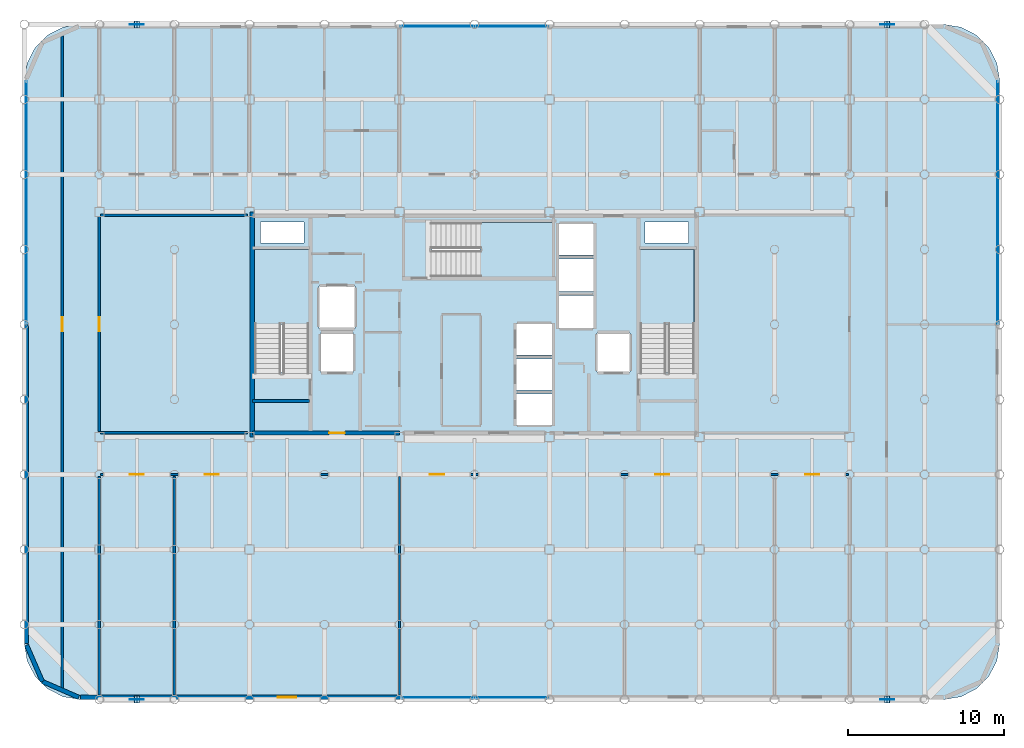
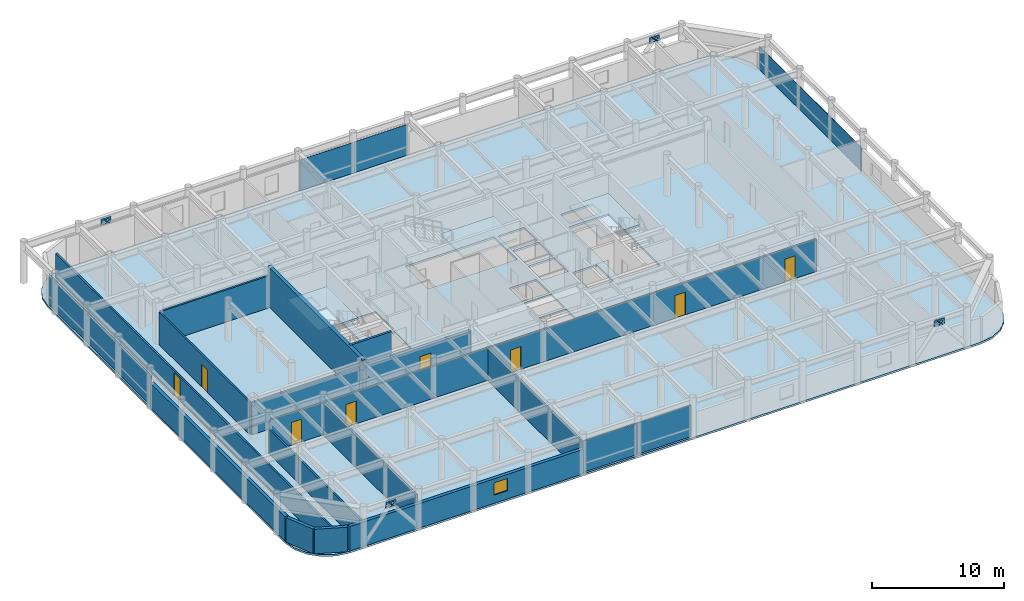
# One storey, part 16 of 21: 18 plates, 15 walls, 8 doors, 4 slabs, 1 window, 9 openings, 7 elements without a shape of their own.
"""IFC4 building model written with IfcOpenShell, lengths in metres."""

from ifc_helpers import new_model, si_unit, direction, frame, frame_2d, origin, origin_2d, place, context, subcontext, project, spatial, polyline, rectangle, outline, extrude, material, layer, layer_set, type_object, element, fill, aggregate, save


model = new_model("IFC4")

# Units and contexts
model_context = context("Model", 3, precision=1e-05, world=origin(), true_north=direction((0.0, 1.0)))
body_context = subcontext(model_context, "Body", "Model", "MODEL_VIEW")
ifc_project = project(units=[si_unit("LENGTHUNIT", "METRE"), si_unit("AREAUNIT", "SQUARE_METRE"), si_unit("VOLUMEUNIT", "CUBIC_METRE"), si_unit("PLANEANGLEUNIT", "RADIAN"), si_unit("MASSUNIT", "GRAM", prefix="KILO")], contexts=[model_context])

# Site, building, storey
site_placement = place(None, origin())
site = spatial("IfcSite", under=ifc_project, at=site_placement, CompositionType="ELEMENT")
building_placement = place(site_placement, origin())
building = spatial("IfcBuilding", under=site, at=building_placement, Name="Kallvorn Hotel Tower", CompositionType="ELEMENT")
storey_placement = place(building_placement, frame((0.0, 0.0, 214.60009765625)))
storey = spatial("IfcBuildingStorey", under=building, at=storey_placement, Name="L53", CompositionType="ELEMENT", Elevation=214.60009765625)

# Curtain wall, plates
ifc_material_1 = material(Name="Thermally broken black-anodised aluminium AA 6063-T6", Category="aluminium")
ifc_layer_1 = layer(ifc_material_1, 0.22998046875)
ifc_layer_set_1 = layer_set([ifc_layer_1], Name="CW_SYS_5_HOTEL_HIGH")
curtain_wall_type = type_object("IfcCurtainWallType", Name="CW_SYS_5_HOTEL_HIGH", PredefinedType="USERDEFINED", material=ifc_layer_set_1)
curtain_wall_1_placement = place(storey_placement, origin())
curtain_wall_1 = element("IfcCurtainWall", 1, at=curtain_wall_1_placement, inside=storey, type_object=curtain_wall_type, Name="L53 Dark-Glass Curtain Wall CW-L53-SC", ObjectType="UNITISED CURTAIN WALL", PredefinedType="USERDEFINED")
ifc_material_2 = material(Name="Triple-glazed low-e acoustic solar-control dark glass", Category="glass")
ifc_layer_2 = layer(ifc_material_2, 0.04150390625)
ifc_layer_set_2 = layer_set([ifc_layer_2], Name="CW_SYS_5_HOTEL_HIGH_PANEL")
plate_type_1 = type_object("IfcPlateType", Name="CW_SYS_5_HOTEL_HIGH_PANEL", PredefinedType="CURTAIN_PANEL", material=ifc_layer_set_2)
plate_1_placement = place(storey_placement, frame((-2.375, -23.8798828125, 0.06005859375), z_axis=(0.0, 0.0, 1.0), x_axis=(1.0, 0.0, 0.0)))
plate_1 = element("IfcPlate", 2, at=plate_1_placement, type_object=plate_type_1, Name="CW-L53-SC Vision Glass Panel 00", PredefinedType="CURTAIN_PANEL", context=body_context, shape_type="SweptSolid", body=[
    extrude(rectangle(XDim=4.68994140625, YDim=0.04150390625, at=origin_2d()), origin(), (0.0, 0.0, 1.0), 2.89990234375),
])
plate_2_placement = place(storey_placement, frame((2.375, -23.8798828125, 0.06005859375), z_axis=(0.0, 0.0, 1.0), x_axis=(1.0, 0.0, 0.0)))
plate_2 = element("IfcPlate", 3, at=plate_2_placement, type_object=plate_type_1, Name="CW-L53-SC Vision Glass Panel 01", PredefinedType="CURTAIN_PANEL", context=body_context, shape_type="SweptSolid", body=[
    extrude(rectangle(XDim=4.68994140625, YDim=0.04150390625, at=origin_2d()), origin(), (0.0, 0.0, 1.0), 2.89990234375),
])
aggregate(curtain_wall_1, [plate_1, plate_2])

curtain_wall_2_placement = place(storey_placement, origin())
curtain_wall_2 = element("IfcCurtainWall", 4, at=curtain_wall_2_placement, inside=storey, type_object=curtain_wall_type, Name="L53 Dark-Glass Curtain Wall CW-L53-NC", ObjectType="UNITISED CURTAIN WALL", PredefinedType="USERDEFINED")
plate_3_placement = place(storey_placement, frame((-2.375, 19.080078125, 0.059814453125), z_axis=(0.0, 0.0, 1.0), x_axis=(1.0, 0.0, 0.0)))
plate_3 = element("IfcPlate", 5, at=plate_3_placement, type_object=plate_type_1, Name="CW-L53-NC Vision Glass Panel 00", PredefinedType="CURTAIN_PANEL", context=body_context, shape_type="SweptSolid", body=[
    extrude(rectangle(XDim=4.68994140625, YDim=0.04150390625, at=origin_2d()), origin(), (0.0, 0.0, 1.0), 2.85009765625),
])
plate_4_placement = place(storey_placement, frame((2.375, 19.080078125, 0.059814453125), z_axis=(0.0, 0.0, 1.0), x_axis=(1.0, 0.0, 0.0)))
plate_4 = element("IfcPlate", 6, at=plate_4_placement, type_object=plate_type_1, Name="CW-L53-NC Vision Glass Panel 01", PredefinedType="CURTAIN_PANEL", context=body_context, shape_type="SweptSolid", body=[
    extrude(rectangle(XDim=4.68994140625, YDim=0.04150390625, at=origin_2d()), origin(), (0.0, 0.0, 1.0), 2.85009765625),
])
aggregate(curtain_wall_2, [plate_3, plate_4])

# Curtain wall, plate
curtain_wall_3_placement = place(storey_placement, origin())
curtain_wall_3 = element("IfcCurtainWall", 7, at=curtain_wall_3_placement, inside=storey, type_object=curtain_wall_type, Name="L53 Dark-Glass Curtain Wall CW-L53-WN", ObjectType="UNITISED CURTAIN WALL", PredefinedType="USERDEFINED")
plate_5_placement = place(storey_placement, frame((-28.679931640625, 7.81005859375, 0.059814453125), z_axis=(0.0, 0.0, 1.0), x_axis=(0.0, 1.0, 0.0)))
plate_5 = element("IfcPlate", 8, at=plate_5_placement, type_object=plate_type_1, Name="CW-L53-WN Vision Glass Panel 00", PredefinedType="CURTAIN_PANEL", context=body_context, shape_type="SweptSolid", body=[
    extrude(rectangle(XDim=15.52001953125, YDim=0.04150390625, at=origin_2d()), origin(), (0.0, 0.0, 1.0), 2.85009765625),
])
aggregate(curtain_wall_3, [plate_5])

curtain_wall_4_placement = place(storey_placement, origin())
curtain_wall_4 = element("IfcCurtainWall", 9, at=curtain_wall_4_placement, inside=storey, type_object=curtain_wall_type, Name="L53 Dark-Glass Curtain Wall CW-L53-EN", ObjectType="UNITISED CURTAIN WALL", PredefinedType="USERDEFINED")
plate_6_placement = place(storey_placement, frame((33.47998046875, 7.81005859375, 0.06005859375), z_axis=(0.0, 0.0, 1.0), x_axis=(0.0, 1.0, 0.0)))
plate_6 = element("IfcPlate", 10, at=plate_6_placement, type_object=plate_type_1, Name="CW-L53-EN Vision Glass Panel 00", PredefinedType="CURTAIN_PANEL", context=body_context, shape_type="SweptSolid", body=[
    extrude(rectangle(XDim=15.52001953125, YDim=0.04150390625, at=origin_2d()), origin(), (0.0, 0.0, 1.0), 2.14990234375),
])
aggregate(curtain_wall_4, [plate_6])

# Plates
ifc_material_3 = material(Name="Structural steel S355JR", Category="steel")
ifc_layer_3 = layer(ifc_material_3, 0.030029296875)
ifc_layer_set_3 = layer_set([ifc_layer_3], Name="PLT_CAP_30")
plate_type_2 = type_object("IfcPlateType", Name="PLT_CAP_30", PredefinedType="SHEET", material=ifc_layer_set_3)
for number, where, z_axis, x_axis, name in (
    (11, (-21.424072265625, -24.2177734375, 3.031005859375), (0.627357871236, 0.0, 0.778731084135), (0.0, 1.0, 0.0), "EXO-L53-S1A End Cap Plate B"),
    (12, (-21.77587890625, -23.7822265625, 3.031005859375), (-0.627357871236, 0.0, 0.778731084135), (0.0, -1.0, 0.0), "EXO-L53-S1B End Cap Plate B"),
    (13, (26.575927734375, -24.2177734375, 3.031005859375), (0.627357871236, 0.0, 0.778731084135), (0.0, 1.0, 0.0), "EXO-L53-S2A End Cap Plate B"),
    (14, (26.22412109375, -23.7822265625, 3.031005859375), (-0.627357871236, 0.0, 0.778731084135), (0.0, -1.0, 0.0), "EXO-L53-S2B End Cap Plate B"),
    (15, (-21.424072265625, 18.982177734375, 3.031005859375), (0.627357871236, 0.0, 0.778731084135), (0.0, 1.0, 0.0), "EXO-L53-N1A End Cap Plate B"),
    (16, (-21.77587890625, 19.417724609375, 3.031005859375), (-0.627357871236, 0.0, 0.778731084135), (0.0, -1.0, 0.0), "EXO-L53-N1B End Cap Plate B"),
    (17, (26.575927734375, 18.982177734375, 3.031005859375), (0.627357871236, 0.0, 0.778731084135), (0.0, 1.0, 0.0), "EXO-L53-N2A End Cap Plate B"),
    (18, (26.22412109375, 19.417724609375, 3.031005859375), (-0.627357871236, 0.0, 0.778731084135), (0.0, -1.0, 0.0), "EXO-L53-N2B End Cap Plate B"),
):
    element("IfcPlate", number, at=place(storey_placement, frame(where, z_axis=z_axis, x_axis=x_axis)), inside=storey, type_object=plate_type_2, Name=name, PredefinedType="SHEET", context=body_context, shape_type="SweptSolid", body=[
        extrude(outline(polyline([(0.0, 0.0), (0.435546875, 0.0), (0.435546875, 0.4354665365665878), (0.0, 0.4354665365665878), (0.0, 0.0)])), origin(), (0.0, 0.0, -1.0), 0.030029296875),
    ])
ifc_material_4 = material(Name="Structural steel S355JR", Category="steel")
ifc_layer_4 = layer(ifc_material_4, 0.034912109375)
ifc_layer_set_4 = layer_set([ifc_layer_4], Name="PLT_GUSSET_35")
plate_type_3 = type_object("IfcPlateType", Name="PLT_GUSSET_35", PredefinedType="USERDEFINED", material=ifc_layer_set_4)
for number, where, z_axis, x_axis, name in (
    (19, (-21.60009765625, -24.0, 2.83984375), (0.0, 0.0, 1.0), (1.0, 0.0, 0.0), "L53 Exoskeleton Node Gusset S1"),
    (20, (26.39990234375, -24.0, 2.83984375), (0.0, 0.0, 1.0), (1.0, 0.0, 0.0), "L53 Exoskeleton Node Gusset S2"),
    (21, (-21.60009765625, 19.199951171875, 2.83984375), (0.0, 0.0, 1.0), (1.0, 0.0, 0.0), "L53 Exoskeleton Node Gusset N1"),
    (22, (26.39990234375, 19.199951171875, 2.83984375), (0.0, 0.0, 1.0), (1.0, 0.0, 0.0), "L53 Exoskeleton Node Gusset N2"),
):
    element("IfcPlate", number, at=place(storey_placement, frame(where, z_axis=z_axis, x_axis=x_axis)), inside=storey, type_object=plate_type_3, Name=name, ObjectType="GUSSET PLATE", PredefinedType="USERDEFINED", context=body_context, shape_type="SweptSolid", body=[
        extrude(rectangle(XDim=0.89990234375, YDim=0.034912109375, at=origin_2d()), origin(), (0.0, 0.0, 1.0), 0.56005859375),
    ])

# Stair, slab
ifc_material_5 = material(Name="Precast concrete C40/50", Category="concrete")
stair_type = type_object("IfcStairType", Name="STR_CORE_DOGLEG", PredefinedType="HALF_TURN_STAIR", material=ifc_material_5)
stair_1_placement = place(storey_placement, origin())
stair_1 = element("IfcStair", 23, at=stair_1_placement, inside=storey, type_object=stair_type, Name="L53 Exit stair ST1", PredefinedType="HALF_TURN_STAIR")
ifc_material_6 = material(Name="Precast concrete C40/50", Category="concrete")
ifc_layer_5 = layer(ifc_material_6, 0.179931640625)
ifc_layer_set_5 = layer_set([ifc_layer_5], Name="SLB_LANDING_180")
slab_type_1 = type_object("IfcSlabType", Name="SLB_LANDING_180", PredefinedType="LANDING", material=ifc_layer_set_5)
slab_1_placement = place(storey_placement, frame((0.0, 0.0, 1.724853515625)))
slab_1 = element("IfcSlab", 24, at=slab_1_placement, type_object=slab_type_1, Name="ST1 landing 1", PredefinedType="LANDING", context=body_context, shape_type="SweptSolid", body=[
    extrude(outline(polyline([(-10.60009765625, 0.010009765625), (-10.60009765625, 4.800048828125), (-14.06005859375, 4.800048828125), (-14.06005859375, 0.010009765625), (-10.60009765625, 0.010009765625)])), origin(), (0.0, 0.0, 1.0), 0.199951171875),
])
aggregate(stair_1, [slab_1])

stair_2_placement = place(storey_placement, origin())
stair_2 = element("IfcStair", 25, at=stair_2_placement, inside=storey, type_object=stair_type, Name="L53 Exit stair ST2", PredefinedType="HALF_TURN_STAIR")
slab_2_placement = place(storey_placement, frame((0.0, 0.0, 1.724853515625)))
slab_2 = element("IfcSlab", 26, at=slab_2_placement, type_object=slab_type_1, Name="ST2 landing 1", PredefinedType="LANDING", context=body_context, shape_type="SweptSolid", body=[
    extrude(outline(polyline([(14.06005859375, 0.010009765625), (14.06005859375, 4.800048828125), (10.60009765625, 4.800048828125), (10.60009765625, 0.010009765625), (14.06005859375, 0.010009765625)])), origin(), (0.0, 0.0, 1.0), 0.199951171875),
])
aggregate(stair_2, [slab_2])

stair_3_placement = place(storey_placement, origin())
stair_3 = element("IfcStair", 27, at=stair_3_placement, inside=storey, type_object=stair_type, Name="L53 Exit stair ST3", PredefinedType="HALF_TURN_STAIR")
slab_3_placement = place(storey_placement, frame((0.0, 0.0, 1.724853515625)))
slab_3 = element("IfcSlab", 28, at=slab_3_placement, type_object=slab_type_1, Name="ST3 landing 1", PredefinedType="LANDING", context=body_context, shape_type="SweptSolid", body=[
    extrude(outline(polyline([(0.360107421875, 3.050048828125), (5.050048828125, 3.050048828125), (5.050048828125, 6.510009765625), (0.360107421875, 6.510009765625), (0.360107421875, 3.050048828125)])), origin(), (0.0, 0.0, 1.0), 0.199951171875),
])
aggregate(stair_3, [slab_3])

# Slab
ifc_material_7 = material(Name="Concrete C40/50", Category="concrete")
ifc_layer_6 = layer(ifc_material_7, 0.179931640625)
ifc_layer_set_6 = layer_set([ifc_layer_6], Name="SLB_TOWER_180")
slab_type_2 = type_object("IfcSlabType", Name="SLB_TOWER_180", PredefinedType="FLOOR", material=ifc_layer_set_6)
slab_4_placement = place(storey_placement, frame((0.0, 0.0, -0.18017578125)))
element("IfcSlab", 29, at=slab_4_placement, inside=storey, type_object=slab_type_2, Name="L53 Structural Floor Slab", PredefinedType="FLOOR", context=body_context, shape_type="SweptSolid", body=[
    extrude(outline(polyline([(30.0, -24.0), (31.112548828125, -23.82373046875), (32.115966796875, -23.3125), (32.91259765625, -22.51611328125), (33.423828125, -21.512451171875), (33.60009765625, -20.39990234375), (33.60009765625, 15.60009765625), (33.423828125, 16.71240234375), (32.91259765625, 17.716064453125), (32.115966796875, 18.512451171875), (31.112548828125, 19.023681640625), (30.0, 19.199951171875), (-25.199951171875, 19.199951171875), (-26.3125, 19.023681640625), (-27.31591796875, 18.512451171875), (-28.112548828125, 17.716064453125), (-28.623779296875, 16.71240234375), (-28.800048828125, 15.60009765625), (-28.800048828125, -20.39990234375), (-28.623779296875, -21.512451171875), (-28.112548828125, -22.51611328125), (-27.31591796875, -23.3125), (-26.3125, -23.82373046875), (-25.199951171875, -24.0), (30.0, -24.0)]), holes=[polyline([(-10.60009765625, -3.070068359375), (-10.60009765625, 4.800048828125), (-14.06005859375, 4.800048828125), (-14.06005859375, -3.070068359375), (-10.60009765625, -3.070068359375)]), polyline([(14.06005859375, -3.070068359375), (14.06005859375, 4.800048828125), (10.60009765625, 4.800048828125), (10.60009765625, -3.070068359375), (14.06005859375, -3.070068359375)]), polyline([(-2.719970703125, 3.050048828125), (5.050048828125, 3.050048828125), (5.050048828125, 6.510009765625), (-2.719970703125, 6.510009765625), (-2.719970703125, 3.050048828125)]), polyline([(2.64990234375, -6.449951171875), (5.0, -6.449951171875), (5.0, -4.449951171875), (2.64990234375, -4.449951171875), (2.64990234375, -6.449951171875)]), polyline([(2.64990234375, -4.199951171875), (5.0, -4.199951171875), (5.0, -2.199951171875), (2.64990234375, -2.199951171875), (2.64990234375, -4.199951171875)]), polyline([(2.64990234375, -1.949951171875), (5.0, -1.949951171875), (5.0, 0.050048828125), (2.64990234375, 0.050048828125), (2.64990234375, -1.949951171875)]), polyline([(5.35009765625, -0.25), (7.64990234375, -0.25), (7.64990234375, 1.85009765625), (5.35009765625, 1.85009765625), (5.35009765625, -0.25)]), polyline([(5.35009765625, 2.10009765625), (7.64990234375, 2.10009765625), (7.64990234375, 4.199951171875), (5.35009765625, 4.199951171875), (5.35009765625, 2.10009765625)]), polyline([(5.35009765625, 4.449951171875), (7.64990234375, 4.449951171875), (7.64990234375, 6.449951171875), (5.35009765625, 6.449951171875), (5.35009765625, 4.449951171875)]), polyline([(-9.85009765625, -3.050048828125), (-7.75, -3.050048828125), (-7.75, -0.550048828125), (-9.85009765625, -0.550048828125), (-9.85009765625, -3.050048828125)]), polyline([(7.85009765625, -3.050048828125), (9.949951171875, -3.050048828125), (9.949951171875, -0.550048828125), (7.85009765625, -0.550048828125), (7.85009765625, -3.050048828125)]), polyline([(-9.949951171875, -0.25), (-7.64990234375, -0.25), (-7.64990234375, 2.449951171875), (-9.949951171875, 2.449951171875), (-9.949951171875, -0.25)]), polyline([(-13.699951171875, 5.199951171875), (-10.89990234375, 5.199951171875), (-10.89990234375, 6.550048828125), (-13.699951171875, 6.550048828125), (-13.699951171875, 5.199951171875)]), polyline([(10.89990234375, 5.199951171875), (13.699951171875, 5.199951171875), (13.699951171875, 6.550048828125), (10.89990234375, 6.550048828125), (10.89990234375, 5.199951171875)])]), origin(), (0.0, 0.0, 1.0), 0.18017578125),
])

# Walls
ifc_material_8 = material(Name="Concrete C50/60", Category="concrete")
ifc_layer_7 = layer(ifc_material_8, 0.300048828125)
ifc_layer_set_7 = layer_set([ifc_layer_7], Name="WL_CORE_300")
wall_type_1 = type_object("IfcWallType", Name="WL_CORE_300", PredefinedType="SHEAR", material=ifc_layer_set_7)
wall_1_placement = place(storey_placement, frame((-14.215087890625, -7.199951171875, -0.18017578125), z_axis=(0.0, 0.0, 1.0), x_axis=(0.0, 1.0, 0.0)))
element("IfcWall", 30, at=wall_1_placement, inside=storey, type_object=wall_type_1, Name="L53 Core West Shear Wall", PredefinedType="SHEAR", context=body_context, shape_type="SweptSolid", body=[
    extrude(rectangle(XDim=14.39990234375, YDim=0.300048828125, at=frame_2d((7.199951171875, 0.0))), origin(), (0.0, 0.0, 1.0), 3.85009765625),
])
ifc_material_9 = material(Name="Precast basalt-clad insulated concrete wall C40/50", Category="masonry")
ifc_layer_8 = layer(ifc_material_9, 0.280029296875)
ifc_layer_set_8 = layer_set([ifc_layer_8], Name="WL_EXT_LOGGIA_280")
wall_type_2 = type_object("IfcWallType", Name="WL_EXT_LOGGIA_280", PredefinedType="SOLIDWALL", material=ifc_layer_set_8)
wall_2_placement = place(storey_placement, frame((-28.657958984375, -20.520751953125, 0.0), z_axis=(0.0, 0.0, 1.0), x_axis=(0.398792985289, -0.917040977756, 0.0)))
element("IfcWall", 31, at=wall_2_placement, inside=storey, type_object=wall_type_2, Name="L53 Rounded Corner Exterior Wall SW1", PredefinedType="SOLIDWALL", context=body_context, shape_type="SweptSolid", body=[
    extrude(rectangle(XDim=2.536376953125, YDim=0.280029296875, at=frame_2d((1.26806640625, 0.0))), origin(), (0.0, 0.0, 1.0), 2.27001953125),
])
wall_3_placement = place(storey_placement, frame((-27.646484375, -22.8466796875, 0.0), z_axis=(0.0, 0.0, 1.0), x_axis=(0.917060872934, -0.398747232384, 0.0)))
element("IfcWall", 32, at=wall_3_placement, inside=storey, type_object=wall_type_2, Name="L53 Rounded Corner Exterior Wall SW2", PredefinedType="SOLIDWALL", context=body_context, shape_type="SweptSolid", body=[
    extrude(rectangle(XDim=2.5361328125, YDim=0.280029296875, at=frame_2d((1.26806640625, 0.0))), origin(), (0.0, 0.0, 1.0), 2.27001953125),
])

# Wall, opening, window
wall_4_placement = place(storey_placement, frame((-25.199951171875, -23.860107421875, 0.0), z_axis=(0.0, 0.0, 1.0), x_axis=(1.0, 0.0, 0.0)))
wall_4 = element("IfcWall", 33, at=wall_4_placement, inside=storey, type_object=wall_type_2, Name="L53 Exterior Envelope Wall EW-L53-SW", PredefinedType="SOLIDWALL", context=body_context, shape_type="SweptSolid", body=[
    extrude(rectangle(XDim=20.449951171875, YDim=0.280029296875, at=frame_2d((10.22509765625, 0.0))), origin(), (0.0, 0.0, 1.0), 2.27001953125),
])
opening_1_placement = place(wall_4_placement, frame((12.60009765625, 0.0, 0.75)))
opening_1 = element("IfcOpeningElement", 34, at=opening_1_placement, cuts=wall_4, Name="Opening W06A", PredefinedType="OPENING", context=body_context, shape_type="SweptSolid", body=[
    extrude(rectangle(XDim=1.199951171875, YDim=1.14990234375, at=frame_2d((0.60009765625, 0.574951171875))), frame((0.0, 0.155029296875, 0.0), z_axis=(0.0, -1.0, 0.0), x_axis=(1.0, 0.0, 0.0)), (0.0, 0.0, 1.0), 0.31005859375),
])
ifc_material_10 = material(Name="Triple-glazed low-e acoustic solar-control dark glass", Category="glass")
window_type = type_object("IfcWindowType", Name="WN_HTL_1200x1150", PartitioningType="SINGLE_PANEL", PredefinedType="WINDOW", material=ifc_material_10)
window_placement = place(opening_1_placement, origin())
window = element("IfcWindow", 35, at=window_placement, inside=storey, type_object=window_type, Name="L53 Guestroom Exterior Window 04", OverallHeight=1.14990234375, OverallWidth=1.199951171875, PartitioningType="SINGLE_PANEL", PredefinedType="WINDOW", context=body_context, shape_type="SweptSolid", body=[
    extrude(rectangle(XDim=1.199951171875, YDim=1.14990234375, at=frame_2d((0.60009765625, 0.574951171875))), frame((0.0, 0.030029296875, 0.0), z_axis=(0.0, -1.0, 0.0), x_axis=(1.0, 0.0, 0.0)), (0.0, 0.0, 1.0), 0.06005859375),
])
fill(opening_1, window)

# Walls
wall_5_placement = place(storey_placement, frame((-28.659912109375, -20.39990234375, 0.0), z_axis=(0.0, 0.0, 1.0), x_axis=(0.0, 1.0, 0.0)))
element("IfcWall", 36, at=wall_5_placement, inside=storey, type_object=wall_type_2, Name="L53 Exterior Envelope Wall EW-L53-WS", PredefinedType="SOLIDWALL", context=body_context, shape_type="SweptSolid", body=[
    extrude(rectangle(XDim=20.3798828125, YDim=0.280029296875, at=frame_2d((10.18994140625, 0.0))), origin(), (0.0, 0.0, 1.0), 2.27001953125),
])
ifc_material_11 = material(Name="Concrete C40/50", Category="concrete")
ifc_layer_9 = layer(ifc_material_11, 0.199951171875)
ifc_layer_set_9 = layer_set([ifc_layer_9], Name="WL_HOIST_200")
wall_type_3 = type_object("IfcWallType", Name="WL_HOIST_200", PredefinedType="SOLIDWALL", material=ifc_layer_set_9)
wall_6_placement = place(storey_placement, frame((-14.199951171875, -4.89990234375, -0.18017578125), z_axis=(0.0, 0.0, 1.0), x_axis=(1.0, 0.0, 0.0)))
element("IfcWall", 37, at=wall_6_placement, inside=storey, type_object=wall_type_3, Name="L53 Stair ST1 South Wall", PredefinedType="SOLIDWALL", context=body_context, shape_type="SweptSolid", body=[
    extrude(rectangle(XDim=3.64990234375, YDim=0.199951171875, at=frame_2d((1.824951171875, 0.0))), origin(), (0.0, 0.0, 1.0), 3.85009765625),
])

# Wall, openings, doors
ifc_material_12 = material(Name="Fire-rated double-layer acoustic gypsum drywall EI 60")
ifc_layer_10 = layer(ifc_material_12, 0.14990234375)
ifc_layer_set_10 = layer_set([ifc_layer_10], Name="WL_PART_150")
wall_type_4 = type_object("IfcWallType", Name="WL_PART_150", PredefinedType="PARTITIONING", material=ifc_layer_set_10)
wall_7_placement = place(storey_placement, frame((-23.919921875, -9.60009765625, 0.0), z_axis=(0.0, 0.0, 1.0), x_axis=(1.0, 0.0, 0.0)))
wall_7 = element("IfcWall", 38, at=wall_7_placement, inside=storey, type_object=wall_type_4, Name="L53 L53 High-Zone South-West Tea Bar Partition", PredefinedType="PARTITIONING", context=body_context, shape_type="SweptSolid", body=[
    extrude(rectangle(XDim=47.83984375, YDim=0.14990234375, at=frame_2d((23.919921875, 0.0))), origin(), (0.0, 0.0, 1.0), 2.969970703125),
])
opening_2_placement = place(wall_7_placement, frame((1.8701171875, 0.0, 0.0)))
opening_2 = element("IfcOpeningElement", 39, at=opening_2_placement, cuts=wall_7, Name="Opening SVD1", PredefinedType="OPENING", context=body_context, shape_type="SweptSolid", body=[
    extrude(rectangle(XDim=0.89990234375, YDim=2.10009765625, at=frame_2d((0.449951171875, 1.050048828125))), frame((0.0, 0.08984375, 0.0), z_axis=(0.0, -1.0, 0.0), x_axis=(1.0, 0.0, 0.0)), (0.0, 0.0, 1.0), 0.179931640625),
])
opening_3_placement = place(wall_7_placement, frame((45.070068359375, 0.0, 0.0)))
opening_3 = element("IfcOpeningElement", 40, at=opening_3_placement, cuts=wall_7, Name="Opening SVD1", PredefinedType="OPENING", context=body_context, shape_type="SweptSolid", body=[
    extrude(rectangle(XDim=0.89990234375, YDim=2.10009765625, at=frame_2d((0.449951171875, 1.050048828125))), frame((0.0, 0.08984375, 0.0), z_axis=(0.0, -1.0, 0.0), x_axis=(1.0, 0.0, 0.0)), (0.0, 0.0, 1.0), 0.179931640625),
])
opening_4_placement = place(wall_7_placement, frame((6.669921875, 0.0, 0.0)))
opening_4 = element("IfcOpeningElement", 41, at=opening_4_placement, cuts=wall_7, Name="Opening SVD1", PredefinedType="OPENING", context=body_context, shape_type="SweptSolid", body=[
    extrude(rectangle(XDim=0.89990234375, YDim=2.10009765625, at=frame_2d((0.449951171875, 1.050048828125))), frame((0.0, 0.08984375, 0.0), z_axis=(0.0, -1.0, 0.0), x_axis=(1.0, 0.0, 0.0)), (0.0, 0.0, 1.0), 0.179931640625),
])
opening_5_placement = place(wall_7_placement, frame((21.070068359375, 0.0, 0.0)))
opening_5 = element("IfcOpeningElement", 42, at=opening_5_placement, cuts=wall_7, Name="Opening SVD1", PredefinedType="OPENING", context=body_context, shape_type="SweptSolid", body=[
    extrude(rectangle(XDim=0.89990234375, YDim=2.10009765625, at=frame_2d((0.449951171875, 1.050048828125))), frame((0.0, 0.08984375, 0.0), z_axis=(0.0, -1.0, 0.0), x_axis=(1.0, 0.0, 0.0)), (0.0, 0.0, 1.0), 0.179931640625),
])
opening_6_placement = place(wall_7_placement, frame((35.469970703125, 0.0, 0.0)))
opening_6 = element("IfcOpeningElement", 43, at=opening_6_placement, cuts=wall_7, Name="Opening SVD1", PredefinedType="OPENING", context=body_context, shape_type="SweptSolid", body=[
    extrude(rectangle(XDim=0.89990234375, YDim=2.10009765625, at=frame_2d((0.449951171875, 1.050048828125))), frame((0.0, 0.08984375, 0.0), z_axis=(0.0, -1.0, 0.0), x_axis=(1.0, 0.0, 0.0)), (0.0, 0.0, 1.0), 0.179931640625),
])
ifc_material_13 = material(Name="Galvanised painted steel fire-rated door assembly", Category="steel")
door_type_1 = type_object("IfcDoorType", Name="DR_SERV_900x2100", OperationType="NOTDEFINED", PredefinedType="DOOR", material=ifc_material_13)
door_1_placement = place(opening_2_placement, origin())
door_1 = element("IfcDoor", 44, at=door_1_placement, inside=storey, type_object=door_type_1, Name="L53 L53 High-Zone South-West Tea Bar Door", OperationType="SINGLE_SWING_LEFT", OverallHeight=2.10009765625, OverallWidth=0.89990234375, PredefinedType="DOOR", context=body_context, shape_type="SweptSolid", body=[
    extrude(rectangle(XDim=0.89990234375, YDim=2.10009765625, at=frame_2d((0.449951171875, 1.050048828125))), frame((0.0, 0.02490234375, 0.0), z_axis=(0.0, -1.0, 0.0), x_axis=(1.0, 0.0, 0.0)), (0.0, 0.0, 1.0), 0.050048828125),
])
fill(opening_2, door_1)
door_2_placement = place(opening_3_placement, origin())
door_2 = element("IfcDoor", 45, at=door_2_placement, inside=storey, type_object=door_type_1, Name="L53 L53 High-Zone South-East Wine Bar Door", OperationType="SINGLE_SWING_LEFT", OverallHeight=2.10009765625, OverallWidth=0.89990234375, PredefinedType="DOOR", context=body_context, shape_type="SweptSolid", body=[
    extrude(rectangle(XDim=0.89990234375, YDim=2.10009765625, at=frame_2d((0.449951171875, 1.050048828125))), frame((0.0, 0.02490234375, 0.0), z_axis=(0.0, -1.0, 0.0), x_axis=(1.0, 0.0, 0.0)), (0.0, 0.0, 1.0), 0.050048828125),
])
fill(opening_3, door_2)
door_3_placement = place(opening_4_placement, origin())
door_3 = element("IfcDoor", 46, at=door_3_placement, inside=storey, type_object=door_type_1, Name="L53 L53 Diplomatic Summit Conference Boardroom 1 Door", OperationType="SINGLE_SWING_LEFT", OverallHeight=2.10009765625, OverallWidth=0.89990234375, PredefinedType="DOOR", context=body_context, shape_type="SweptSolid", body=[
    extrude(rectangle(XDim=0.89990234375, YDim=2.10009765625, at=frame_2d((0.449951171875, 1.050048828125))), frame((0.0, 0.02490234375, 0.0), z_axis=(0.0, -1.0, 0.0), x_axis=(1.0, 0.0, 0.0)), (0.0, 0.0, 1.0), 0.050048828125),
])
fill(opening_4, door_3)
door_4_placement = place(opening_5_placement, origin())
door_4 = element("IfcDoor", 47, at=door_4_placement, inside=storey, type_object=door_type_1, Name="L53 L53 Restaurant Culinary Catering Kitchen 2 Door", OperationType="SINGLE_SWING_RIGHT", OverallHeight=2.10009765625, OverallWidth=0.89990234375, PredefinedType="DOOR", context=body_context, shape_type="SweptSolid", body=[
    extrude(rectangle(XDim=0.89990234375, YDim=2.10009765625, at=frame_2d((0.449951171875, 1.050048828125))), frame((0.0, 0.02490234375, 0.0), z_axis=(0.0, -1.0, 0.0), x_axis=(1.0, 0.0, 0.0)), (0.0, 0.0, 1.0), 0.050048828125),
])
fill(opening_5, door_4)
door_5_placement = place(opening_6_placement, origin())
door_5 = element("IfcDoor", 48, at=door_5_placement, inside=storey, type_object=door_type_1, Name="L53 L53 Haute Couture Design Retail Shop 3 Door", OperationType="SINGLE_SWING_LEFT", OverallHeight=2.10009765625, OverallWidth=0.89990234375, PredefinedType="DOOR", context=body_context, shape_type="SweptSolid", body=[
    extrude(rectangle(XDim=0.89990234375, YDim=2.10009765625, at=frame_2d((0.449951171875, 1.050048828125))), frame((0.0, 0.02490234375, 0.0), z_axis=(0.0, -1.0, 0.0), x_axis=(1.0, 0.0, 0.0)), (0.0, 0.0, 1.0), 0.050048828125),
])
fill(opening_6, door_5)

# Walls
for number, where, z_axis, x_axis, name in (
    (49, (-23.919921875, -6.919921875, 0.0), (0.0, 0.0, 1.0), (1.0, 0.0, 0.0), "L53 L53 High-Zone Inner West Club Bar Partition"),
    (50, (-23.919921875, 6.97998046875, 0.0), (0.0, 0.0, 1.0), (1.0, 0.0, 0.0), "L53 L53 High-Zone Inner West Club Bar Partition"),
):
    element("IfcWall", number, at=place(storey_placement, frame(where, z_axis=z_axis, x_axis=x_axis)), inside=storey, type_object=wall_type_4, Name=name, PredefinedType="PARTITIONING", context=body_context, shape_type="SweptSolid", body=[
        extrude(rectangle(XDim=9.39990234375, YDim=0.14990234375, at=frame_2d((4.699951171875, 0.0))), origin(), (0.0, 0.0, 1.0), 2.969970703125),
    ])

# Wall, opening, door
wall_8_placement = place(storey_placement, frame((-26.3798828125, -23.247314453125, 0.0), z_axis=(0.0, 0.0, 1.0), x_axis=(0.0, 1.0, 0.0)))
wall_8 = element("IfcWall", 51, at=wall_8_placement, inside=storey, type_object=wall_type_4, Name="L53 L53 Outer West Sky Observatory Salon Partition", PredefinedType="PARTITIONING", context=body_context, shape_type="SweptSolid", body=[
    extrude(rectangle(XDim=41.694580078125, YDim=0.14990234375, at=frame_2d((20.84716796875, 0.0))), origin(), (0.0, 0.0, 1.0), 2.27001953125),
])
opening_7_placement = place(wall_8_placement, frame((22.79736328125, 0.0, 0.0)))
opening_7 = element("IfcOpeningElement", 52, at=opening_7_placement, cuts=wall_8, Name="Opening SVD1", PredefinedType="OPENING", context=body_context, shape_type="SweptSolid", body=[
    extrude(rectangle(XDim=0.89990234375, YDim=2.10009765625, at=frame_2d((0.449951171875, 1.050048828125))), frame((0.0, 0.08984375, 0.0), z_axis=(0.0, -1.0, 0.0), x_axis=(1.0, 0.0, 0.0)), (0.0, 0.0, 1.0), 0.179931640625),
])
door_6_placement = place(opening_7_placement, origin())
door_6 = element("IfcDoor", 53, at=door_6_placement, inside=storey, type_object=door_type_1, Name="L53 L53 Outer West Sky Observatory Salon Door", OperationType="SINGLE_SWING_RIGHT", OverallHeight=2.10009765625, OverallWidth=0.89990234375, PredefinedType="DOOR", context=body_context, shape_type="SweptSolid", body=[
    extrude(rectangle(XDim=0.89990234375, YDim=2.10009765625, at=frame_2d((0.449951171875, 1.050048828125))), frame((0.0, 0.02490234375, 0.0), z_axis=(0.0, -1.0, 0.0), x_axis=(1.0, 0.0, 0.0)), (0.0, 0.0, 1.0), 0.050048828125),
])
fill(opening_7, door_6)

# Wall
wall_9_placement = place(storey_placement, frame((-24.0, -23.7099609375, 0.0), z_axis=(0.0, 0.0, 1.0), x_axis=(0.0, 1.0, 0.0)))
element("IfcWall", 54, at=wall_9_placement, inside=storey, type_object=wall_type_4, Name="L53 L53 High-Zone South-West Tea Bar Partition", PredefinedType="PARTITIONING", context=body_context, shape_type="SweptSolid", body=[
    extrude(rectangle(XDim=13.989990234375, YDim=0.14990234375, at=frame_2d((6.9951171875, 0.0))), origin(), (0.0, 0.0, 1.0), 2.27001953125),
])

# Wall, opening, door
wall_10_placement = place(storey_placement, frame((-24.0, -6.8349609375, 0.0), z_axis=(0.0, 0.0, 1.0), x_axis=(0.0, 1.0, 0.0)))
wall_10 = element("IfcWall", 55, at=wall_10_placement, inside=storey, type_object=wall_type_4, Name="L53 L53 High-Zone Inner West Club Bar Partition", PredefinedType="PARTITIONING", context=body_context, shape_type="SweptSolid", body=[
    extrude(rectangle(XDim=13.72998046875, YDim=0.14990234375, at=frame_2d((6.864990234375, 0.0))), origin(), (0.0, 0.0, 1.0), 2.969970703125),
])
opening_8_placement = place(wall_10_placement, frame((6.385009765625, 0.0, 0.0)))
opening_8 = element("IfcOpeningElement", 56, at=opening_8_placement, cuts=wall_10, Name="Opening SVD1", PredefinedType="OPENING", context=body_context, shape_type="SweptSolid", body=[
    extrude(rectangle(XDim=0.89990234375, YDim=2.10009765625, at=frame_2d((0.449951171875, 1.050048828125))), frame((0.0, 0.08984375, 0.0), z_axis=(0.0, -1.0, 0.0), x_axis=(1.0, 0.0, 0.0)), (0.0, 0.0, 1.0), 0.179931640625),
])
door_7_placement = place(opening_8_placement, origin())
door_7 = element("IfcDoor", 57, at=door_7_placement, inside=storey, type_object=door_type_1, Name="L53 L53 High-Zone Inner West Club Bar Door", OperationType="SINGLE_SWING_LEFT", OverallHeight=2.10009765625, OverallWidth=0.89990234375, PredefinedType="DOOR", context=body_context, shape_type="SweptSolid", body=[
    extrude(rectangle(XDim=0.89990234375, YDim=2.10009765625, at=frame_2d((0.449951171875, 1.050048828125))), frame((0.0, 0.02490234375, 0.0), z_axis=(0.0, -1.0, 0.0), x_axis=(1.0, 0.0, 0.0)), (0.0, 0.0, 1.0), 0.050048828125),
])
fill(opening_8, door_7)

# Walls
for number, where, z_axis, x_axis, name in (
    (58, (-19.199951171875, -23.7099609375, 0.0), (0.0, 0.0, 1.0), (0.0, 1.0, 0.0), "L53 L53 Diplomatic Summit Conference Boardroom 1 Partition"),
    (59, (-4.800048828125, -23.7099609375, 0.0), (0.0, 0.0, 1.0), (0.0, 1.0, 0.0), "L53 L53 Diplomatic Summit Conference Boardroom 1 Partition"),
):
    element("IfcWall", number, at=place(storey_placement, frame(where, z_axis=z_axis, x_axis=x_axis)), inside=storey, type_object=wall_type_4, Name=name, PredefinedType="PARTITIONING", context=body_context, shape_type="SweptSolid", body=[
        extrude(rectangle(XDim=13.989990234375, YDim=0.14990234375, at=frame_2d((6.9951171875, 0.0))), origin(), (0.0, 0.0, 1.0), 2.969970703125),
    ])

# Wall, opening, door
ifc_material_14 = material(Name="Concrete C40/50", Category="concrete")
ifc_layer_11 = layer(ifc_material_14, 0.25)
ifc_layer_set_11 = layer_set([ifc_layer_11], Name="WL_SHAFT_250")
wall_type_5 = type_object("IfcWallType", Name="WL_SHAFT_250", PredefinedType="SOLIDWALL", material=ifc_layer_set_11)
wall_11_placement = place(storey_placement, frame((-14.199951171875, -6.949951171875, 0.0), z_axis=(0.0, 0.0, 1.0), x_axis=(1.0, 0.0, 0.0)))
wall_11 = element("IfcWall", 60, at=wall_11_placement, inside=storey, type_object=wall_type_5, Name="L53 Core South-West Wall", PredefinedType="SOLIDWALL", context=body_context, shape_type="SweptSolid", body=[
    extrude(rectangle(XDim=9.39990234375, YDim=0.25, at=frame_2d((4.699951171875, 0.0))), origin(), (0.0, 0.0, 1.0), 2.969970703125),
])
opening_9_placement = place(wall_11_placement, frame((4.89990234375, 0.0, 0.0)))
opening_9 = element("IfcOpeningElement", 61, at=opening_9_placement, cuts=wall_11, Name="Opening FD1", PredefinedType="OPENING", context=body_context, shape_type="SweptSolid", body=[
    extrude(rectangle(XDim=1.0, YDim=2.14990234375, at=frame_2d((0.5, 1.074951171875))), frame((0.0, 0.139892578125, 0.0), z_axis=(0.0, -1.0, 0.0), x_axis=(1.0, 0.0, 0.0)), (0.0, 0.0, 1.0), 0.280029296875),
])
ifc_material_15 = material(Name="Galvanised painted steel fire-rated door assembly", Category="steel")
door_type_2 = type_object("IfcDoorType", Name="DR_FFL_1000x2150", OperationType="NOTDEFINED", PredefinedType="DOOR", material=ifc_material_15)
door_8_placement = place(opening_9_placement, origin())
door_8 = element("IfcDoor", 62, at=door_8_placement, inside=storey, type_object=door_type_2, Name="L53 Firefighting Lobby West Door", OperationType="SINGLE_SWING_RIGHT", OverallHeight=2.14990234375, OverallWidth=1.0, PredefinedType="DOOR", context=body_context, shape_type="SweptSolid", body=[
    extrude(rectangle(XDim=1.0, YDim=2.14990234375, at=frame_2d((0.5, 1.074951171875))), frame((0.0, 0.02490234375, 0.0), z_axis=(0.0, -1.0, 0.0), x_axis=(1.0, 0.0, 0.0)), (0.0, 0.0, 1.0), 0.050048828125),
])
fill(opening_9, door_8)

save(model, "model.ifc")
